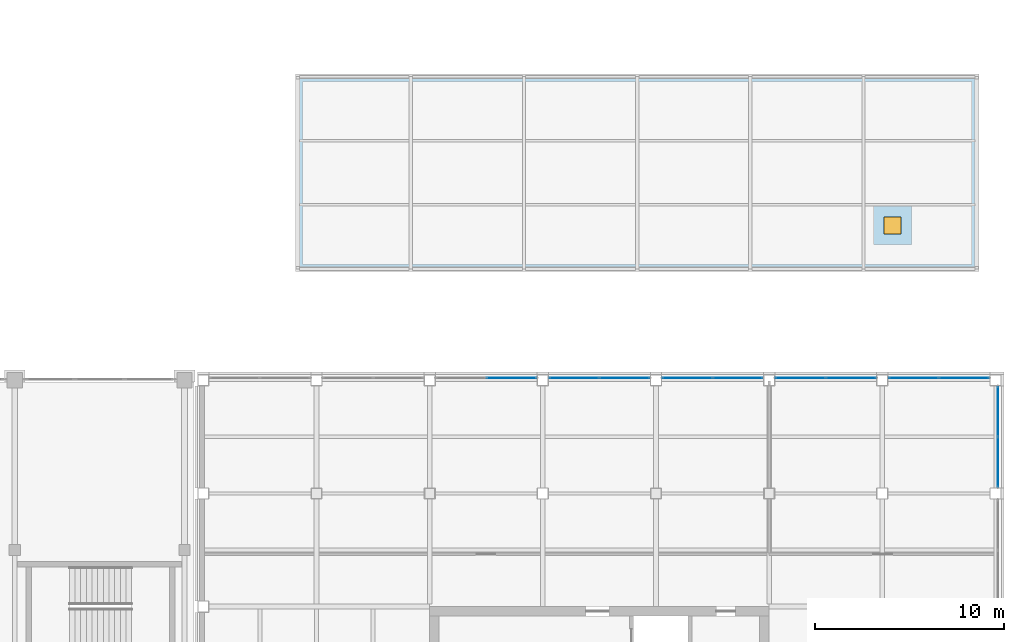
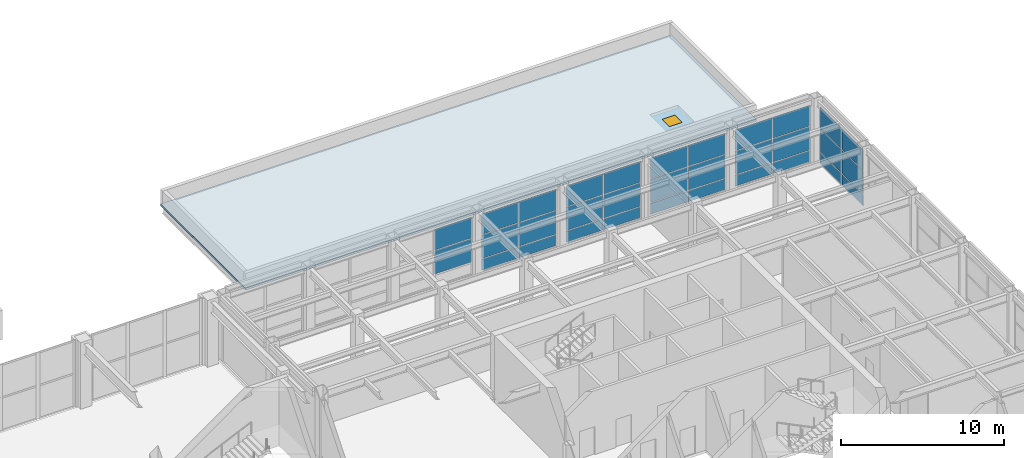
"""IFC4 building model written with IfcOpenShell, lengths in metres."""

from ifc_helpers import new_model, si_unit, direction, frame, origin, origin_2d, place, context, subcontext, project, spatial, polyline, rectangle, outline, extrude, material, layer, layer_set, type_object, element, fill, aggregate, save


model = new_model("IFC4")

# Units and contexts
model_context = context("Model", 3, precision=1e-05, world=origin(), true_north=direction((0.0, 1.0)))
body_context = subcontext(model_context, "Body", "Model", "MODEL_VIEW")
ifc_project = project(units=[si_unit("LENGTHUNIT", "METRE"), si_unit("AREAUNIT", "SQUARE_METRE"), si_unit("VOLUMEUNIT", "CUBIC_METRE"), si_unit("PLANEANGLEUNIT", "RADIAN"), si_unit("MASSUNIT", "GRAM", prefix="KILO")], contexts=[model_context])

# Site, building, storey
site_placement = place(None, origin())
site = spatial("IfcSite", under=ifc_project, at=site_placement, CompositionType="ELEMENT")
building_placement = place(site_placement, origin())
building = spatial("IfcBuilding", under=site, at=building_placement, Name="Aravalli Gate Trade Fair Centre", CompositionType="ELEMENT")
storey_1_placement = place(building_placement, frame((0.0, 0.0, 5.0)))
storey_1 = spatial("IfcBuildingStorey", under=building, at=storey_1_placement, Name="L01", CompositionType="ELEMENT", Elevation=5.0)

# Slab, opening
ifc_material_1 = material(Name="Concrete M30", Category="concrete")
ifc_layer_1 = layer(ifc_material_1, 0.14990234375)
ifc_layer_set_1 = layer_set([ifc_layer_1], Name="Concrete M30")
slab_type = type_object("IfcSlabType", Name="Pavilion roof slab 150", PredefinedType="ROOF", material=ifc_layer_set_1)
slab_placement = place(storey_1_placement, frame((0.0, 0.0, -0.14990234375)))
slab = element("IfcSlab", 1, at=slab_placement, inside=storey_1, type_object=slab_type, Name="Pavilion roof slab", PredefinedType="ROOF", context=body_context, shape_type="SweptSolid", body=[
    extrude(outline(polyline([(164.875, 138.77490234375), (201.125, 138.77490234375), (201.125, 149.22509765625), (164.875, 149.22509765625), (164.875, 138.77490234375)])), origin(), (0.0, 0.0, 1.0), 0.14990234375),
])
opening_placement = place(slab_placement, frame((196.550048828125, 141.199951171875, 0.0)))
opening = element("IfcOpeningElement", 2, at=opening_placement, cuts=slab, Name="Opening TGH1", PredefinedType="OPENING", context=body_context, shape_type="SweptSolid", body=[
    extrude(rectangle(XDim=0.89990234375, YDim=0.89990234375, at=origin_2d()), origin(), (0.0, 0.0, 1.0), 0.14990234375),
])

# Storey
storey_2_placement = place(building_placement, origin())
storey_2 = spatial("IfcBuildingStorey", under=building, at=storey_2_placement, Name="L00", CompositionType="ELEMENT", Elevation=0.0)

# Window
ifc_material_2 = material(Name="Steel", Category="steel")
window_type = type_object("IfcWindowType", Name="Wing roof access hatch 900 x 900", PartitioningType="SINGLE_PANEL", PredefinedType="SKYLIGHT", material=ifc_material_2)
window_placement = place(opening_placement, frame((0.0, 0.0, 0.099853515625)))
window = element("IfcWindow", 3, at=window_placement, inside=storey_2, type_object=window_type, Name="Pavilion roof access hatch", OverallHeight=0.89990234375, OverallWidth=0.89990234375, PartitioningType="SINGLE_PANEL", PredefinedType="SKYLIGHT", context=body_context, shape_type="SweptSolid", body=[
    extrude(rectangle(XDim=0.89990234375, YDim=0.89990234375, at=origin_2d()), origin(), (0.0, 0.0, 1.0), 0.050048828125),
])

fill(opening, window)

# Curtain wall, plates
ifc_material_3 = material(Name="Aluminium and glass", Category="aluminium")
curtain_wall_type = type_object("IfcCurtainWallType", Name="Wing curtain wall", PredefinedType="NOTDEFINED", material=ifc_material_3)
curtain_wall_1_placement = place(storey_1_placement, origin())
curtain_wall_1 = element("IfcCurtainWall", 4, at=curtain_wall_1_placement, inside=storey_1, type_object=curtain_wall_type, Name="Curtain wall N2 L01", PredefinedType="NOTDEFINED")
ifc_material_4 = material(Name="Glass", Category="glass")
ifc_layer_2 = layer(ifc_material_4, 0.028076171875)
ifc_layer_set_2 = layer_set([ifc_layer_2], Name="Glass")
plate_type = type_object("IfcPlateType", Name="Wing curtain wall glazing panel 28", PredefinedType="CURTAIN_PANEL", material=ifc_layer_set_2)
plate_1_placement = place(storey_1_placement, frame((176.3349609375, 133.125, 0.93017578125), z_axis=(0.0, 0.0, 1.0), x_axis=(1.0, 0.0, 0.0)))
plate_1 = element("IfcPlate", 5, at=plate_1_placement, type_object=plate_type, Name="TCW1 panel 2.2", PredefinedType="CURTAIN_PANEL", context=body_context, shape_type="SweptSolid", body=[
    extrude(rectangle(XDim=2.610107421875, YDim=0.028076171875, at=origin_2d()), origin(), (0.0, 0.0, 1.0), 1.739990234375),
])
plate_2_placement = place(storey_1_placement, frame((176.3349609375, 133.125, 2.72998046875), z_axis=(0.0, 0.0, 1.0), x_axis=(1.0, 0.0, 0.0)))
plate_2 = element("IfcPlate", 6, at=plate_2_placement, type_object=plate_type, Name="TCW1 panel 2.3", PredefinedType="CURTAIN_PANEL", context=body_context, shape_type="SweptSolid", body=[
    extrude(rectangle(XDim=2.610107421875, YDim=0.028076171875, at=origin_2d()), origin(), (0.0, 0.0, 1.0), 1.56005859375),
])
aggregate(curtain_wall_1, [plate_1, plate_2])

curtain_wall_2_placement = place(storey_1_placement, origin())
curtain_wall_2 = element("IfcCurtainWall", 7, at=curtain_wall_2_placement, inside=storey_1, type_object=curtain_wall_type, Name="Curtain wall N3 L01", PredefinedType="NOTDEFINED")
plate_3_placement = place(storey_1_placement, frame((179.6650390625, 133.125, 0.06005859375), z_axis=(0.0, 0.0, 1.0), x_axis=(1.0, 0.0, 0.0)))
plate_3 = element("IfcPlate", 8, at=plate_3_placement, type_object=plate_type, Name="TCW1 panel 1.1", PredefinedType="CURTAIN_PANEL", context=body_context, shape_type="SweptSolid", body=[
    extrude(rectangle(XDim=2.610107421875, YDim=0.028076171875, at=origin_2d()), origin(), (0.0, 0.0, 1.0), 0.81005859375),
])
plate_4_placement = place(storey_1_placement, frame((179.6650390625, 133.125, 0.93017578125), z_axis=(0.0, 0.0, 1.0), x_axis=(1.0, 0.0, 0.0)))
plate_4 = element("IfcPlate", 9, at=plate_4_placement, type_object=plate_type, Name="TCW1 panel 1.2", PredefinedType="CURTAIN_PANEL", context=body_context, shape_type="SweptSolid", body=[
    extrude(rectangle(XDim=2.610107421875, YDim=0.028076171875, at=origin_2d()), origin(), (0.0, 0.0, 1.0), 1.739990234375),
])
plate_5_placement = place(storey_1_placement, frame((179.6650390625, 133.125, 2.72998046875), z_axis=(0.0, 0.0, 1.0), x_axis=(1.0, 0.0, 0.0)))
plate_5 = element("IfcPlate", 10, at=plate_5_placement, type_object=plate_type, Name="TCW1 panel 1.3", PredefinedType="CURTAIN_PANEL", context=body_context, shape_type="SweptSolid", body=[
    extrude(rectangle(XDim=2.610107421875, YDim=0.028076171875, at=origin_2d()), origin(), (0.0, 0.0, 1.0), 1.56005859375),
])
plate_6_placement = place(storey_1_placement, frame((182.3349609375, 133.125, 0.06005859375), z_axis=(0.0, 0.0, 1.0), x_axis=(1.0, 0.0, 0.0)))
plate_6 = element("IfcPlate", 11, at=plate_6_placement, type_object=plate_type, Name="TCW1 panel 2.1", PredefinedType="CURTAIN_PANEL", context=body_context, shape_type="SweptSolid", body=[
    extrude(rectangle(XDim=2.610107421875, YDim=0.028076171875, at=origin_2d()), origin(), (0.0, 0.0, 1.0), 0.81005859375),
])
plate_7_placement = place(storey_1_placement, frame((182.3349609375, 133.125, 0.93017578125), z_axis=(0.0, 0.0, 1.0), x_axis=(1.0, 0.0, 0.0)))
plate_7 = element("IfcPlate", 12, at=plate_7_placement, type_object=plate_type, Name="TCW1 panel 2.2", PredefinedType="CURTAIN_PANEL", context=body_context, shape_type="SweptSolid", body=[
    extrude(rectangle(XDim=2.610107421875, YDim=0.028076171875, at=origin_2d()), origin(), (0.0, 0.0, 1.0), 1.739990234375),
])
plate_8_placement = place(storey_1_placement, frame((182.3349609375, 133.125, 2.72998046875), z_axis=(0.0, 0.0, 1.0), x_axis=(1.0, 0.0, 0.0)))
plate_8 = element("IfcPlate", 13, at=plate_8_placement, type_object=plate_type, Name="TCW1 panel 2.3", PredefinedType="CURTAIN_PANEL", context=body_context, shape_type="SweptSolid", body=[
    extrude(rectangle(XDim=2.610107421875, YDim=0.028076171875, at=origin_2d()), origin(), (0.0, 0.0, 1.0), 1.56005859375),
])
aggregate(curtain_wall_2, [plate_3, plate_4, plate_5, plate_6, plate_7, plate_8])

curtain_wall_3_placement = place(storey_1_placement, origin())
curtain_wall_3 = element("IfcCurtainWall", 14, at=curtain_wall_3_placement, inside=storey_1, type_object=curtain_wall_type, Name="Curtain wall N4 L01", PredefinedType="NOTDEFINED")
plate_9_placement = place(storey_1_placement, frame((185.6650390625, 133.125, 0.06005859375), z_axis=(0.0, 0.0, 1.0), x_axis=(1.0, 0.0, 0.0)))
plate_9 = element("IfcPlate", 15, at=plate_9_placement, type_object=plate_type, Name="TCW1 panel 1.1", PredefinedType="CURTAIN_PANEL", context=body_context, shape_type="SweptSolid", body=[
    extrude(rectangle(XDim=2.610107421875, YDim=0.028076171875, at=origin_2d()), origin(), (0.0, 0.0, 1.0), 0.81005859375),
])
plate_10_placement = place(storey_1_placement, frame((185.6650390625, 133.125, 0.93017578125), z_axis=(0.0, 0.0, 1.0), x_axis=(1.0, 0.0, 0.0)))
plate_10 = element("IfcPlate", 16, at=plate_10_placement, type_object=plate_type, Name="TCW1 panel 1.2", PredefinedType="CURTAIN_PANEL", context=body_context, shape_type="SweptSolid", body=[
    extrude(rectangle(XDim=2.610107421875, YDim=0.028076171875, at=origin_2d()), origin(), (0.0, 0.0, 1.0), 1.739990234375),
])
plate_11_placement = place(storey_1_placement, frame((185.6650390625, 133.125, 2.72998046875), z_axis=(0.0, 0.0, 1.0), x_axis=(1.0, 0.0, 0.0)))
plate_11 = element("IfcPlate", 17, at=plate_11_placement, type_object=plate_type, Name="TCW1 panel 1.3", PredefinedType="CURTAIN_PANEL", context=body_context, shape_type="SweptSolid", body=[
    extrude(rectangle(XDim=2.610107421875, YDim=0.028076171875, at=origin_2d()), origin(), (0.0, 0.0, 1.0), 1.56005859375),
])
plate_12_placement = place(storey_1_placement, frame((188.3349609375, 133.125, 0.06005859375), z_axis=(0.0, 0.0, 1.0), x_axis=(1.0, 0.0, 0.0)))
plate_12 = element("IfcPlate", 18, at=plate_12_placement, type_object=plate_type, Name="TCW1 panel 2.1", PredefinedType="CURTAIN_PANEL", context=body_context, shape_type="SweptSolid", body=[
    extrude(rectangle(XDim=2.610107421875, YDim=0.028076171875, at=origin_2d()), origin(), (0.0, 0.0, 1.0), 0.81005859375),
])
plate_13_placement = place(storey_1_placement, frame((188.3349609375, 133.125, 0.93017578125), z_axis=(0.0, 0.0, 1.0), x_axis=(1.0, 0.0, 0.0)))
plate_13 = element("IfcPlate", 19, at=plate_13_placement, type_object=plate_type, Name="TCW1 panel 2.2", PredefinedType="CURTAIN_PANEL", context=body_context, shape_type="SweptSolid", body=[
    extrude(rectangle(XDim=2.610107421875, YDim=0.028076171875, at=origin_2d()), origin(), (0.0, 0.0, 1.0), 1.739990234375),
])
plate_14_placement = place(storey_1_placement, frame((188.3349609375, 133.125, 2.72998046875), z_axis=(0.0, 0.0, 1.0), x_axis=(1.0, 0.0, 0.0)))
plate_14 = element("IfcPlate", 20, at=plate_14_placement, type_object=plate_type, Name="TCW1 panel 2.3", PredefinedType="CURTAIN_PANEL", context=body_context, shape_type="SweptSolid", body=[
    extrude(rectangle(XDim=2.610107421875, YDim=0.028076171875, at=origin_2d()), origin(), (0.0, 0.0, 1.0), 1.56005859375),
])
aggregate(curtain_wall_3, [plate_9, plate_10, plate_11, plate_12, plate_13, plate_14])

curtain_wall_4_placement = place(storey_1_placement, origin())
curtain_wall_4 = element("IfcCurtainWall", 21, at=curtain_wall_4_placement, inside=storey_1, type_object=curtain_wall_type, Name="Curtain wall N5 L01", PredefinedType="NOTDEFINED")
plate_15_placement = place(storey_1_placement, frame((191.6650390625, 133.125, 0.06005859375), z_axis=(0.0, 0.0, 1.0), x_axis=(1.0, 0.0, 0.0)))
plate_15 = element("IfcPlate", 22, at=plate_15_placement, type_object=plate_type, Name="TCW1 panel 1.1", PredefinedType="CURTAIN_PANEL", context=body_context, shape_type="SweptSolid", body=[
    extrude(rectangle(XDim=2.610107421875, YDim=0.028076171875, at=origin_2d()), origin(), (0.0, 0.0, 1.0), 0.81005859375),
])
plate_16_placement = place(storey_1_placement, frame((191.6650390625, 133.125, 0.93017578125), z_axis=(0.0, 0.0, 1.0), x_axis=(1.0, 0.0, 0.0)))
plate_16 = element("IfcPlate", 23, at=plate_16_placement, type_object=plate_type, Name="TCW1 panel 1.2", PredefinedType="CURTAIN_PANEL", context=body_context, shape_type="SweptSolid", body=[
    extrude(rectangle(XDim=2.610107421875, YDim=0.028076171875, at=origin_2d()), origin(), (0.0, 0.0, 1.0), 1.739990234375),
])
plate_17_placement = place(storey_1_placement, frame((191.6650390625, 133.125, 2.72998046875), z_axis=(0.0, 0.0, 1.0), x_axis=(1.0, 0.0, 0.0)))
plate_17 = element("IfcPlate", 24, at=plate_17_placement, type_object=plate_type, Name="TCW1 panel 1.3", PredefinedType="CURTAIN_PANEL", context=body_context, shape_type="SweptSolid", body=[
    extrude(rectangle(XDim=2.610107421875, YDim=0.028076171875, at=origin_2d()), origin(), (0.0, 0.0, 1.0), 1.56005859375),
])
plate_18_placement = place(storey_1_placement, frame((194.3349609375, 133.125, 0.06005859375), z_axis=(0.0, 0.0, 1.0), x_axis=(1.0, 0.0, 0.0)))
plate_18 = element("IfcPlate", 25, at=plate_18_placement, type_object=plate_type, Name="TCW1 panel 2.1", PredefinedType="CURTAIN_PANEL", context=body_context, shape_type="SweptSolid", body=[
    extrude(rectangle(XDim=2.610107421875, YDim=0.028076171875, at=origin_2d()), origin(), (0.0, 0.0, 1.0), 0.81005859375),
])
plate_19_placement = place(storey_1_placement, frame((194.3349609375, 133.125, 0.93017578125), z_axis=(0.0, 0.0, 1.0), x_axis=(1.0, 0.0, 0.0)))
plate_19 = element("IfcPlate", 26, at=plate_19_placement, type_object=plate_type, Name="TCW1 panel 2.2", PredefinedType="CURTAIN_PANEL", context=body_context, shape_type="SweptSolid", body=[
    extrude(rectangle(XDim=2.610107421875, YDim=0.028076171875, at=origin_2d()), origin(), (0.0, 0.0, 1.0), 1.739990234375),
])
plate_20_placement = place(storey_1_placement, frame((194.3349609375, 133.125, 2.72998046875), z_axis=(0.0, 0.0, 1.0), x_axis=(1.0, 0.0, 0.0)))
plate_20 = element("IfcPlate", 27, at=plate_20_placement, type_object=plate_type, Name="TCW1 panel 2.3", PredefinedType="CURTAIN_PANEL", context=body_context, shape_type="SweptSolid", body=[
    extrude(rectangle(XDim=2.610107421875, YDim=0.028076171875, at=origin_2d()), origin(), (0.0, 0.0, 1.0), 1.56005859375),
])
aggregate(curtain_wall_4, [plate_15, plate_16, plate_17, plate_18, plate_19, plate_20])

curtain_wall_5_placement = place(storey_1_placement, origin())
curtain_wall_5 = element("IfcCurtainWall", 28, at=curtain_wall_5_placement, inside=storey_1, type_object=curtain_wall_type, Name="Curtain wall N6 L01", PredefinedType="NOTDEFINED")
plate_21_placement = place(storey_1_placement, frame((197.6650390625, 133.125, 0.06005859375), z_axis=(0.0, 0.0, 1.0), x_axis=(1.0, 0.0, 0.0)))
plate_21 = element("IfcPlate", 29, at=plate_21_placement, type_object=plate_type, Name="TCW1 panel 1.1", PredefinedType="CURTAIN_PANEL", context=body_context, shape_type="SweptSolid", body=[
    extrude(rectangle(XDim=2.610107421875, YDim=0.028076171875, at=origin_2d()), origin(), (0.0, 0.0, 1.0), 0.81005859375),
])
plate_22_placement = place(storey_1_placement, frame((197.6650390625, 133.125, 0.93017578125), z_axis=(0.0, 0.0, 1.0), x_axis=(1.0, 0.0, 0.0)))
plate_22 = element("IfcPlate", 30, at=plate_22_placement, type_object=plate_type, Name="TCW1 panel 1.2", PredefinedType="CURTAIN_PANEL", context=body_context, shape_type="SweptSolid", body=[
    extrude(rectangle(XDim=2.610107421875, YDim=0.028076171875, at=origin_2d()), origin(), (0.0, 0.0, 1.0), 1.739990234375),
])
plate_23_placement = place(storey_1_placement, frame((197.6650390625, 133.125, 2.72998046875), z_axis=(0.0, 0.0, 1.0), x_axis=(1.0, 0.0, 0.0)))
plate_23 = element("IfcPlate", 31, at=plate_23_placement, type_object=plate_type, Name="TCW1 panel 1.3", PredefinedType="CURTAIN_PANEL", context=body_context, shape_type="SweptSolid", body=[
    extrude(rectangle(XDim=2.610107421875, YDim=0.028076171875, at=origin_2d()), origin(), (0.0, 0.0, 1.0), 1.56005859375),
])
plate_24_placement = place(storey_1_placement, frame((200.3349609375, 133.125, 0.06005859375), z_axis=(0.0, 0.0, 1.0), x_axis=(1.0, 0.0, 0.0)))
plate_24 = element("IfcPlate", 32, at=plate_24_placement, type_object=plate_type, Name="TCW1 panel 2.1", PredefinedType="CURTAIN_PANEL", context=body_context, shape_type="SweptSolid", body=[
    extrude(rectangle(XDim=2.610107421875, YDim=0.028076171875, at=origin_2d()), origin(), (0.0, 0.0, 1.0), 0.81005859375),
])
plate_25_placement = place(storey_1_placement, frame((200.3349609375, 133.125, 0.93017578125), z_axis=(0.0, 0.0, 1.0), x_axis=(1.0, 0.0, 0.0)))
plate_25 = element("IfcPlate", 33, at=plate_25_placement, type_object=plate_type, Name="TCW1 panel 2.2", PredefinedType="CURTAIN_PANEL", context=body_context, shape_type="SweptSolid", body=[
    extrude(rectangle(XDim=2.610107421875, YDim=0.028076171875, at=origin_2d()), origin(), (0.0, 0.0, 1.0), 1.739990234375),
])
plate_26_placement = place(storey_1_placement, frame((200.3349609375, 133.125, 2.72998046875), z_axis=(0.0, 0.0, 1.0), x_axis=(1.0, 0.0, 0.0)))
plate_26 = element("IfcPlate", 34, at=plate_26_placement, type_object=plate_type, Name="TCW1 panel 2.3", PredefinedType="CURTAIN_PANEL", context=body_context, shape_type="SweptSolid", body=[
    extrude(rectangle(XDim=2.610107421875, YDim=0.028076171875, at=origin_2d()), origin(), (0.0, 0.0, 1.0), 1.56005859375),
])
aggregate(curtain_wall_5, [plate_21, plate_22, plate_23, plate_24, plate_25, plate_26])

curtain_wall_6_placement = place(storey_1_placement, origin())
curtain_wall_6 = element("IfcCurtainWall", 35, at=curtain_wall_6_placement, inside=storey_1, type_object=curtain_wall_type, Name="Curtain wall E6 L01", PredefinedType="NOTDEFINED")
plate_27_placement = place(storey_1_placement, frame((202.125, 128.6650390625, 0.06005859375), z_axis=(0.0, 0.0, 1.0), x_axis=(0.0, 1.0, 0.0)))
plate_27 = element("IfcPlate", 36, at=plate_27_placement, type_object=plate_type, Name="TCW1 panel 1.1", PredefinedType="CURTAIN_PANEL", context=body_context, shape_type="SweptSolid", body=[
    extrude(rectangle(XDim=2.610107421875, YDim=0.028076171875, at=origin_2d()), origin(), (0.0, 0.0, 1.0), 0.81005859375),
])
plate_28_placement = place(storey_1_placement, frame((202.125, 128.6650390625, 0.93017578125), z_axis=(0.0, 0.0, 1.0), x_axis=(0.0, 1.0, 0.0)))
plate_28 = element("IfcPlate", 37, at=plate_28_placement, type_object=plate_type, Name="TCW1 panel 1.2", PredefinedType="CURTAIN_PANEL", context=body_context, shape_type="SweptSolid", body=[
    extrude(rectangle(XDim=2.610107421875, YDim=0.028076171875, at=origin_2d()), origin(), (0.0, 0.0, 1.0), 1.739990234375),
])
plate_29_placement = place(storey_1_placement, frame((202.125, 128.6650390625, 2.72998046875), z_axis=(0.0, 0.0, 1.0), x_axis=(0.0, 1.0, 0.0)))
plate_29 = element("IfcPlate", 38, at=plate_29_placement, type_object=plate_type, Name="TCW1 panel 1.3", PredefinedType="CURTAIN_PANEL", context=body_context, shape_type="SweptSolid", body=[
    extrude(rectangle(XDim=2.610107421875, YDim=0.028076171875, at=origin_2d()), origin(), (0.0, 0.0, 1.0), 1.56005859375),
])
plate_30_placement = place(storey_1_placement, frame((202.125, 131.3349609375, 0.06005859375), z_axis=(0.0, 0.0, 1.0), x_axis=(0.0, 1.0, 0.0)))
plate_30 = element("IfcPlate", 39, at=plate_30_placement, type_object=plate_type, Name="TCW1 panel 2.1", PredefinedType="CURTAIN_PANEL", context=body_context, shape_type="SweptSolid", body=[
    extrude(rectangle(XDim=2.610107421875, YDim=0.028076171875, at=origin_2d()), origin(), (0.0, 0.0, 1.0), 0.81005859375),
])
plate_31_placement = place(storey_1_placement, frame((202.125, 131.3349609375, 0.93017578125), z_axis=(0.0, 0.0, 1.0), x_axis=(0.0, 1.0, 0.0)))
plate_31 = element("IfcPlate", 40, at=plate_31_placement, type_object=plate_type, Name="TCW1 panel 2.2", PredefinedType="CURTAIN_PANEL", context=body_context, shape_type="SweptSolid", body=[
    extrude(rectangle(XDim=2.610107421875, YDim=0.028076171875, at=origin_2d()), origin(), (0.0, 0.0, 1.0), 1.739990234375),
])
plate_32_placement = place(storey_1_placement, frame((202.125, 131.3349609375, 2.72998046875), z_axis=(0.0, 0.0, 1.0), x_axis=(0.0, 1.0, 0.0)))
plate_32 = element("IfcPlate", 41, at=plate_32_placement, type_object=plate_type, Name="TCW1 panel 2.3", PredefinedType="CURTAIN_PANEL", context=body_context, shape_type="SweptSolid", body=[
    extrude(rectangle(XDim=2.610107421875, YDim=0.028076171875, at=origin_2d()), origin(), (0.0, 0.0, 1.0), 1.56005859375),
])
aggregate(curtain_wall_6, [plate_27, plate_28, plate_29, plate_30, plate_31, plate_32])

save(model, "model.ifc")
